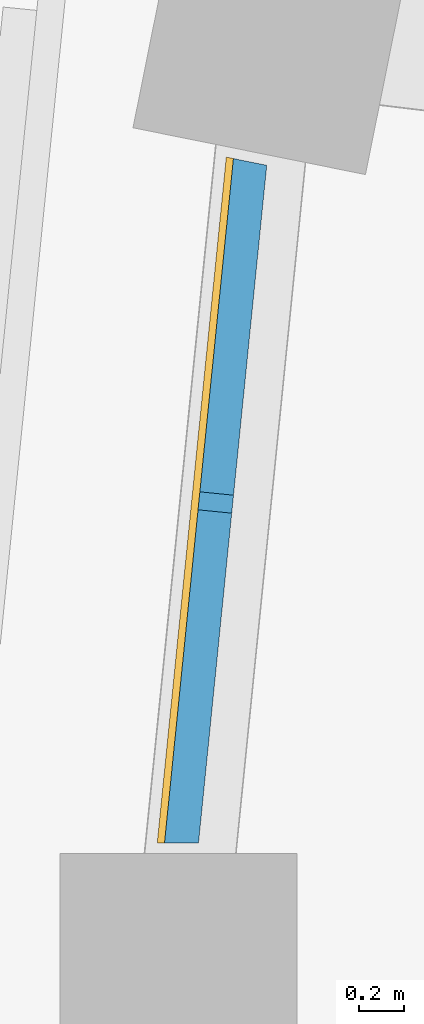
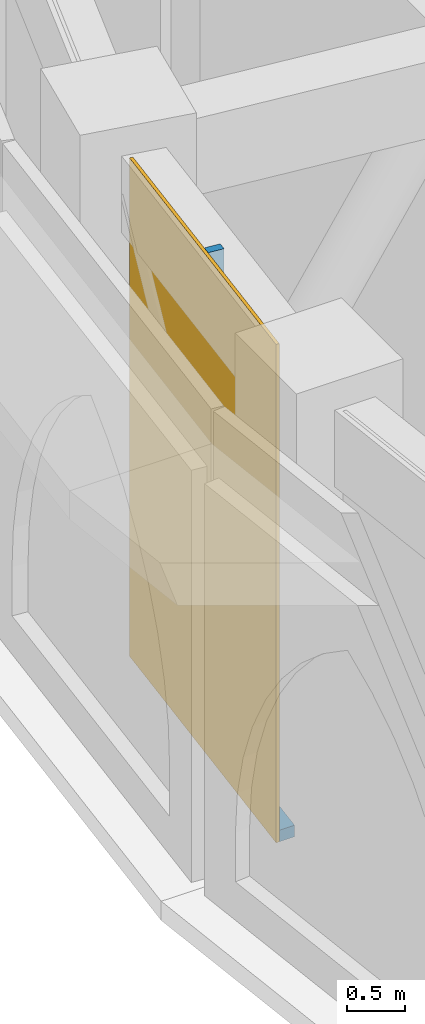
# One storey, part 11 of 23: 2 members, 1 curtain wall.
"""IFC4 building model written with IfcOpenShell, lengths in metres."""

import ifcopenshell
import ifcopenshell.guid

model = None  # the IFC model being written
_history = None  # IfcOwnerHistory: only IFC2X3 demands one
_inside = {}  # id of a spatial element -> (the spatial element, [elements in it])
_under = {}  # id of a project, library or spatial element -> (it, [spatial elements below it])
_declared = {}  # id of a project -> (the project, [libraries it declares])
_typed = {}  # id of a type object -> (the type object, [elements of that type])
_made_of = {}  # id of a material, layer set ... -> (it, [elements and type objects made of it])


def new_model(schema):
    """Start an empty IFC model of exactly this schema.

    Asked for "IFC4X3", IfcOpenShell would pick the latest addendum, in which some entities
    have other attributes; the version numbers below select the first issue.
    IFC2X3 requires an IfcOwnerHistory on every rooted entity: one is made here for all.
    """
    global model, _history
    if schema == "IFC4X3":
        model = ifcopenshell.file(schema_version=(4, 3, 0, 0))
    else:
        model = ifcopenshell.file(schema=schema)
    _inside.clear()
    _under.clear()
    _declared.clear()
    _typed.clear()
    _made_of.clear()
    _history = None
    if model.schema == "IFC2X3":
        org = make("IfcOrganization", Name="unknown")
        user = make(
            "IfcPersonAndOrganization",
            ThePerson=make("IfcPerson", FamilyName="unknown"),
            TheOrganization=org,
        )
        app = make(
            "IfcApplication",
            ApplicationDeveloper=org,
            Version="unknown",
            ApplicationFullName="unknown",
            ApplicationIdentifier="unknown",
        )
        _history = make(
            "IfcOwnerHistory",
            OwningUser=user,
            OwningApplication=app,
            ChangeAction="ADDED",
            CreationDate=0,
        )
    return model


def make(cls, **values):
    """One entity of the class cls with the attributes given. An attribute that is None is left unset."""
    return model.create_entity(
        cls, **{name: value for name, value in values.items() if value is not None}
    )


def rooted(cls, **values):
    """An entity with a GlobalId (a new one), such as an element, a storey or a relation."""
    return make(cls, GlobalId=ifcopenshell.guid.new(), OwnerHistory=_history, **values)


def si_unit(unit_type, name, prefix=None):
    """IfcSIUnit, for example si_unit("LENGTHUNIT", "METRE", prefix="MILLI")."""
    return make("IfcSIUnit", UnitType=unit_type, Prefix=prefix, Name=name)


def assignment(units):
    """IfcUnitAssignment: the units of a project."""
    return None if units is None else make("IfcUnitAssignment", Units=units)


def point(xyz):
    """IfcCartesianPoint."""
    return None if xyz is None else make("IfcCartesianPoint", Coordinates=xyz)


def direction(xyz):
    """IfcDirection."""
    return None if xyz is None else make("IfcDirection", DirectionRatios=xyz)


def frame(location, z_axis=None, x_axis=None):
    """IfcAxis2Placement3D, a coordinate frame: its origin and axes. An axis left out is left unset."""
    return make(
        "IfcAxis2Placement3D",
        Location=point(location),
        Axis=direction(z_axis),
        RefDirection=direction(x_axis),
    )


def frame_2d(location, x_axis=None):
    """IfcAxis2Placement2D, a coordinate frame in the plane: its origin and x axis."""
    return make(
        "IfcAxis2Placement2D", Location=point(location), RefDirection=direction(x_axis)
    )


def origin():
    """The frame at (0, 0, 0) with its axes left unset."""
    return frame((0.0, 0.0, 0.0))


def origin_2d():
    """The frame at (0, 0) in the plane with its x axis left unset."""
    return frame_2d((0.0, 0.0))


def place(relative_to, where):
    """IfcLocalPlacement: puts the frame where relative to a parent placement (None: the world)."""
    return make(
        "IfcLocalPlacement", PlacementRelTo=relative_to, RelativePlacement=where
    )


def context(
    kind, dimensions, precision=None, world=None, true_north=None, identifier=None
):
    """IfcGeometricRepresentationContext, for example the 3D "Model" context."""
    return make(
        "IfcGeometricRepresentationContext",
        ContextIdentifier=identifier,
        ContextType=kind,
        CoordinateSpaceDimension=dimensions,
        Precision=precision,
        WorldCoordinateSystem=world,
        TrueNorth=true_north,
    )


def subcontext(parent, identifier, kind, view, scale=None):
    """IfcGeometricRepresentationSubContext, for example "Body" below "Model"."""
    return make(
        "IfcGeometricRepresentationSubContext",
        ContextIdentifier=identifier,
        ContextType=kind,
        ParentContext=parent,
        TargetScale=scale,
        TargetView=view,
    )


def project(units=None, contexts=None):
    """IfcProject with its units and contexts."""
    return rooted(
        "IfcProject",
        Name="project",
        RepresentationContexts=contexts,
        UnitsInContext=assignment(units),
    )


def spatial(cls, under=None, at=None, **own):
    """A site, building, storey or space (cls), placed at a placement, below another one or the project."""
    s = rooted(cls, ObjectPlacement=at, **own)
    if under is not None:
        _under.setdefault(under.id(), (under, []))[1].append(s)
    return s


def polyline(points):
    """IfcPolyline through the points."""
    return make("IfcPolyline", Points=[point(p) for p in points])


def profile(cls, at=None, kind="AREA", **sizes):
    """A parametric profile (cls). Its sizes go by their IFC names, for example OverallWidth=200.0."""
    return make(cls, ProfileType=kind, Position=at, **sizes)


def rectangle(**sizes):
    """IfcRectangleProfileDef."""
    return profile("IfcRectangleProfileDef", **sizes)


def outline(outer, holes=None, kind="AREA"):
    """IfcArbitraryClosedProfileDef: a profile drawn as a closed curve; with holes, ...WithVoids."""
    if holes is None:
        return make("IfcArbitraryClosedProfileDef", ProfileType=kind, OuterCurve=outer)
    return make(
        "IfcArbitraryProfileDefWithVoids",
        ProfileType=kind,
        OuterCurve=outer,
        InnerCurves=holes,
    )


def extrude(swept, where, along, depth):
    """IfcExtrudedAreaSolid: the profile swept, set in the frame where, extruded along a direction by depth."""
    return make(
        "IfcExtrudedAreaSolid",
        SweptArea=swept,
        Position=where,
        ExtrudedDirection=direction(along),
        Depth=depth,
    )


def shape(context_of_items, identifier, shape_type, items):
    """IfcShapeRepresentation: the items that make up one representation, for example the "Body"."""
    return make(
        "IfcShapeRepresentation",
        ContextOfItems=context_of_items,
        RepresentationIdentifier=identifier,
        RepresentationType=shape_type,
        Items=items,
    )


def material(Name=None, Category=None):
    """IfcMaterial."""
    return make("IfcMaterial", Name=Name, Category=Category)


def layer(
    of_material, thickness, ventilated=None, Name=None, Category=None, Priority=None
):
    """IfcMaterialLayer: one layer of a wall or slab, of a material (None: an air gap)."""
    return make(
        "IfcMaterialLayer",
        Material=of_material,
        LayerThickness=thickness,
        IsVentilated=ventilated,
        Name=Name,
        Category=Category,
        Priority=Priority,
    )


def layer_set(layers, Name=None):
    """IfcMaterialLayerSet."""
    return make("IfcMaterialLayerSet", MaterialLayers=layers, LayerSetName=Name)


def material_profile(
    of_material, cross_section, Name=None, Category=None, Priority=None
):
    """IfcMaterialProfile: a cross section and its material."""
    return make(
        "IfcMaterialProfile",
        Name=Name,
        Material=of_material,
        Profile=cross_section,
        Priority=Priority,
        Category=Category,
    )


def profile_set(profiles, Name=None, composite=None):
    """IfcMaterialProfileSet."""
    return make(
        "IfcMaterialProfileSet",
        Name=Name,
        MaterialProfiles=profiles,
        CompositeProfile=composite,
    )


def made_of(thing, what):
    """Note that an element or type object is made of a material, layer set ...; save() writes the relation."""
    if what is not None:
        _made_of.setdefault(what.id(), (what, []))[1].append(thing)
    return thing


def type_object(cls, material=None, **own):
    """A type object (cls), such as IfcWallType, which elements share."""
    return made_of(rooted(cls, **own), material)


def element(
    cls,
    number,
    at=None,
    inside=None,
    cuts=None,
    type_object=None,
    material=None,
    context=None,
    identifier="Body",
    shape_type=None,
    held_by="IfcProductDefinitionShape",
    body=None,
    shapes=None,
    **own,
):
    """One element of the class cls, such as IfcWall. Its Tag is "e" and its number.

    at: its placement. inside: the storey or other place that contains it. cuts: it is an
    opening in that element (IfcRelVoidsElement). A single representation is given by context,
    identifier, shape_type and body (its items); several are given by shapes. held_by: the class
    of the entity that holds the representations. save() writes the other relations.
    """
    e = rooted(cls, Tag="e%d" % number, ObjectPlacement=at, **own)
    if body is not None:
        shapes = [shape(context, identifier, shape_type, body)]
    if shapes is not None:
        e.Representation = make(held_by, Representations=shapes)
    if inside is not None:
        _inside.setdefault(inside.id(), (inside, []))[1].append(e)
    if cuts is not None:
        rooted(
            "IfcRelVoidsElement", RelatingBuildingElement=cuts, RelatedOpeningElement=e
        )
    if type_object is not None:
        _typed.setdefault(type_object.id(), (type_object, []))[1].append(e)
    return made_of(e, material)


def aggregate(whole, parts):
    """IfcRelAggregates: a whole, such as a stair, and the parts it consists of."""
    return rooted("IfcRelAggregates", RelatingObject=whole, RelatedObjects=parts)


def save(model, path):
    """Write the relations noted so far, then the file.

    IfcRelAggregates (storeys below a building ...), IfcRelContainedInSpatialStructure (elements
    in a storey), IfcRelDefinesByType, IfcRelAssociatesMaterial and IfcRelDeclares: one each for
    every whole, place, type object, material and project.
    """
    for whole, parts in _under.values():
        aggregate(whole, parts)
    for where, things in _inside.values():
        rooted(
            "IfcRelContainedInSpatialStructure",
            RelatedElements=things,
            RelatingStructure=where,
        )
    for kind, things in _typed.values():
        rooted("IfcRelDefinesByType", RelatedObjects=things, RelatingType=kind)
    for what, things in _made_of.values():
        rooted("IfcRelAssociatesMaterial", RelatedObjects=things, RelatingMaterial=what)
    for by, libraries in _declared.values():
        rooted("IfcRelDeclares", RelatingContext=by, RelatedDefinitions=libraries)
    model.write(path)


model = new_model("IFC4")

# Units and contexts
model_context = context("Model", 3, precision=1e-05, world=origin(), true_north=direction((0.0, 1.0)))
body_context = subcontext(model_context, "Body", "Model", "MODEL_VIEW")
ifc_project = project(units=[si_unit("LENGTHUNIT", "METRE"), si_unit("AREAUNIT", "SQUARE_METRE"), si_unit("VOLUMEUNIT", "CUBIC_METRE"), si_unit("PLANEANGLEUNIT", "RADIAN"), si_unit("MASSUNIT", "GRAM", prefix="KILO")], contexts=[model_context])

# Member
ifc_material_1 = material(Name="Aluminium 6063-T6 black anodised", Category="aluminium")
ifc_material_profile = material_profile(ifc_material_1, rectangle(XDim=0.14990234375, YDim=0.080078125, at=origin_2d()), Name="150x80")
ifc_profile_set = profile_set([ifc_material_profile], Name="Aluminium 6063-T6 black anodised")
member_type_1 = type_object("IfcMemberType", Name="ENV-MULLION-B-150", PredefinedType="MULLION", material=ifc_profile_set)
site_placement = place(None, origin())
building_placement = place(site_placement, origin())
storey_placement = place(building_placement, frame((0.0, 0.0, 285.5)))
member_1_placement = place(storey_placement, frame((-34.778564453125, 2.07958984375, 0.1201171875), z_axis=(0.0, 0.0, 1.0), x_axis=(0.994969504864, -0.100178263068, 0.0)))
member_1 = element("IfcMember", 1, at=member_1_placement, type_object=member_type_1, Name="Mullion B chord 23", PredefinedType="MULLION", context=body_context, shape_type="SweptSolid", body=[
    extrude(rectangle(XDim=0.14990234375, YDim=0.080078125, at=origin_2d()), origin(), (0.0, 0.0, 1.0), 5.079833984375),
])

ifc_material_2 = material(Name="Aluminium 6063-T6 black anodised", Category="aluminium")
member_type_2 = type_object("IfcMemberType", Name="ENV-TRANSOM-B", PredefinedType="USERDEFINED", material=ifc_material_2)
member_2_placement = place(storey_placement, origin())
member_2 = element("IfcMember", 2, at=member_2_placement, type_object=member_type_2, Name="Transom B radial 23-24", ObjectType="TRANSOM", PredefinedType="USERDEFINED", context=body_context, shape_type="SweptSolid", body=[
    extrude(outline(polyline([(-34.700439453125, 3.60302734375), (-35.005615234375, 0.572021484375), (-34.85498046875, 0.572021484375), (-34.552734375, 3.5732421875), (-34.700439453125, 3.60302734375)])), origin(), (0.0, 0.0, 1.0), 0.1201171875),
])

# Site, building, storey
site = spatial("IfcSite", under=ifc_project, at=site_placement, CompositionType="ELEMENT")
building = spatial("IfcBuilding", under=site, at=building_placement, Name="Noorbagh Ring Tower", CompositionType="ELEMENT")
storey = spatial("IfcBuildingStorey", under=building, at=storey_placement, Name="L61", CompositionType="ELEMENT", Elevation=285.5)

# Curtain wall
ifc_material_3 = material(Name="Glass dark tinted laminated", Category="glass")
ifc_layer = layer(ifc_material_3, 0.031982421875)
ifc_layer_set = layer_set([ifc_layer], Name="Glass dark tinted laminated")
curtain_wall_type = type_object("IfcCurtainWallType", Name="ENV-CW-B", PredefinedType="NOTDEFINED", material=ifc_layer_set)
curtain_wall_placement = place(storey_placement, origin())
curtain_wall = element("IfcCurtainWall", 3, at=curtain_wall_placement, inside=storey, type_object=curtain_wall_type, Name="Curtain wall B R23", PredefinedType="NOTDEFINED", context=body_context, shape_type="SweptSolid", body=[
    extrude(outline(polyline([(-34.73193359375, 3.609375), (-35.037841796875, 0.572021484375), (-35.005615234375, 0.572021484375), (-34.700439453125, 3.60302734375), (-34.73193359375, 3.609375)])), origin(), (0.0, 0.0, 1.0), 5.199951171875),
])

aggregate(curtain_wall, [member_1, member_2])

save(model, "model.ifc")
